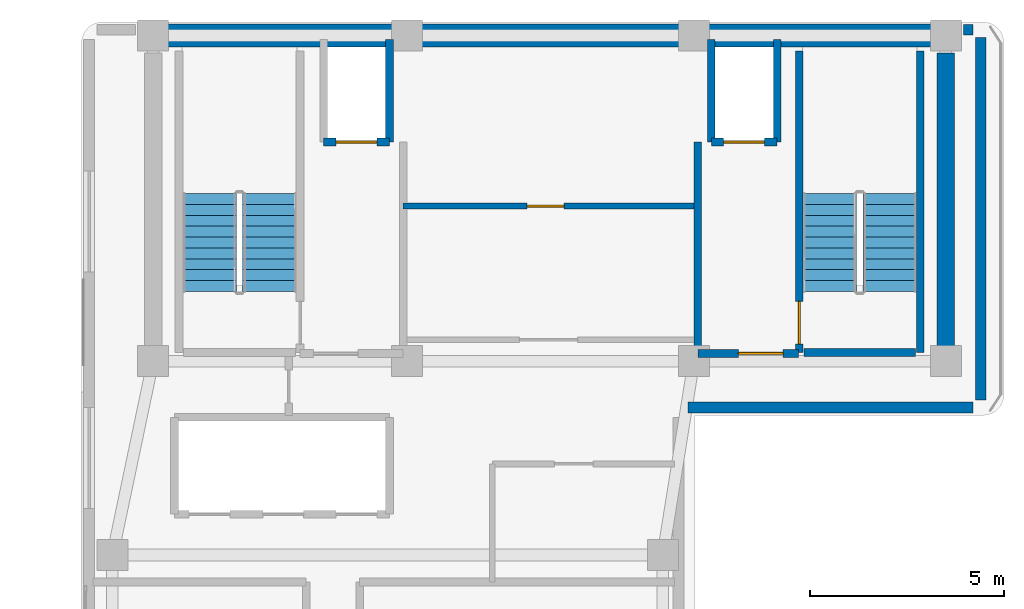
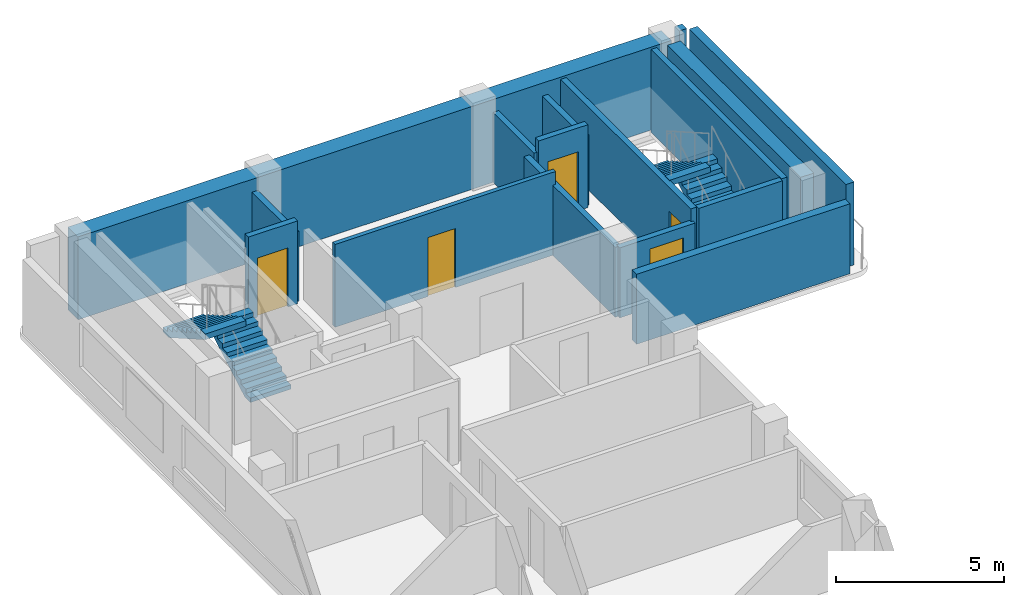
# One storey, part 9 of 11: 16 walls, 5 doors, 4 stair flights, 5 openings, 2 elements without a shape of their own.
"""IFC4 building model written with IfcOpenShell, lengths in metres."""

import ifcopenshell
import ifcopenshell.guid

model = None  # the IFC model being written
_history = None  # IfcOwnerHistory: only IFC2X3 demands one
_inside = {}  # id of a spatial element -> (the spatial element, [elements in it])
_under = {}  # id of a project, library or spatial element -> (it, [spatial elements below it])
_declared = {}  # id of a project -> (the project, [libraries it declares])
_typed = {}  # id of a type object -> (the type object, [elements of that type])
_made_of = {}  # id of a material, layer set ... -> (it, [elements and type objects made of it])


def new_model(schema):
    """Start an empty IFC model of exactly this schema.

    Asked for "IFC4X3", IfcOpenShell would pick the latest addendum, in which some entities
    have other attributes; the version numbers below select the first issue.
    IFC2X3 requires an IfcOwnerHistory on every rooted entity: one is made here for all.
    """
    global model, _history
    if schema == "IFC4X3":
        model = ifcopenshell.file(schema_version=(4, 3, 0, 0))
    else:
        model = ifcopenshell.file(schema=schema)
    _inside.clear()
    _under.clear()
    _declared.clear()
    _typed.clear()
    _made_of.clear()
    _history = None
    if model.schema == "IFC2X3":
        org = make("IfcOrganization", Name="unknown")
        user = make(
            "IfcPersonAndOrganization",
            ThePerson=make("IfcPerson", FamilyName="unknown"),
            TheOrganization=org,
        )
        app = make(
            "IfcApplication",
            ApplicationDeveloper=org,
            Version="unknown",
            ApplicationFullName="unknown",
            ApplicationIdentifier="unknown",
        )
        _history = make(
            "IfcOwnerHistory",
            OwningUser=user,
            OwningApplication=app,
            ChangeAction="ADDED",
            CreationDate=0,
        )
    return model


def make(cls, **values):
    """One entity of the class cls with the attributes given. An attribute that is None is left unset."""
    return model.create_entity(
        cls, **{name: value for name, value in values.items() if value is not None}
    )


def rooted(cls, **values):
    """An entity with a GlobalId (a new one), such as an element, a storey or a relation."""
    return make(cls, GlobalId=ifcopenshell.guid.new(), OwnerHistory=_history, **values)


def si_unit(unit_type, name, prefix=None):
    """IfcSIUnit, for example si_unit("LENGTHUNIT", "METRE", prefix="MILLI")."""
    return make("IfcSIUnit", UnitType=unit_type, Prefix=prefix, Name=name)


def assignment(units):
    """IfcUnitAssignment: the units of a project."""
    return None if units is None else make("IfcUnitAssignment", Units=units)


def point(xyz):
    """IfcCartesianPoint."""
    return None if xyz is None else make("IfcCartesianPoint", Coordinates=xyz)


def direction(xyz):
    """IfcDirection."""
    return None if xyz is None else make("IfcDirection", DirectionRatios=xyz)


def frame(location, z_axis=None, x_axis=None):
    """IfcAxis2Placement3D, a coordinate frame: its origin and axes. An axis left out is left unset."""
    return make(
        "IfcAxis2Placement3D",
        Location=point(location),
        Axis=direction(z_axis),
        RefDirection=direction(x_axis),
    )


def frame_2d(location, x_axis=None):
    """IfcAxis2Placement2D, a coordinate frame in the plane: its origin and x axis."""
    return make(
        "IfcAxis2Placement2D", Location=point(location), RefDirection=direction(x_axis)
    )


def origin():
    """The frame at (0, 0, 0) with its axes left unset."""
    return frame((0.0, 0.0, 0.0))


def place(relative_to, where):
    """IfcLocalPlacement: puts the frame where relative to a parent placement (None: the world)."""
    return make(
        "IfcLocalPlacement", PlacementRelTo=relative_to, RelativePlacement=where
    )


def context(
    kind, dimensions, precision=None, world=None, true_north=None, identifier=None
):
    """IfcGeometricRepresentationContext, for example the 3D "Model" context."""
    return make(
        "IfcGeometricRepresentationContext",
        ContextIdentifier=identifier,
        ContextType=kind,
        CoordinateSpaceDimension=dimensions,
        Precision=precision,
        WorldCoordinateSystem=world,
        TrueNorth=true_north,
    )


def subcontext(parent, identifier, kind, view, scale=None):
    """IfcGeometricRepresentationSubContext, for example "Body" below "Model"."""
    return make(
        "IfcGeometricRepresentationSubContext",
        ContextIdentifier=identifier,
        ContextType=kind,
        ParentContext=parent,
        TargetScale=scale,
        TargetView=view,
    )


def project(units=None, contexts=None):
    """IfcProject with its units and contexts."""
    return rooted(
        "IfcProject",
        Name="project",
        RepresentationContexts=contexts,
        UnitsInContext=assignment(units),
    )


def spatial(cls, under=None, at=None, **own):
    """A site, building, storey or space (cls), placed at a placement, below another one or the project."""
    s = rooted(cls, ObjectPlacement=at, **own)
    if under is not None:
        _under.setdefault(under.id(), (under, []))[1].append(s)
    return s


def polyline(points):
    """IfcPolyline through the points."""
    return make("IfcPolyline", Points=[point(p) for p in points])


def profile(cls, at=None, kind="AREA", **sizes):
    """A parametric profile (cls). Its sizes go by their IFC names, for example OverallWidth=200.0."""
    return make(cls, ProfileType=kind, Position=at, **sizes)


def rectangle(**sizes):
    """IfcRectangleProfileDef."""
    return profile("IfcRectangleProfileDef", **sizes)


def outline(outer, holes=None, kind="AREA"):
    """IfcArbitraryClosedProfileDef: a profile drawn as a closed curve; with holes, ...WithVoids."""
    if holes is None:
        return make("IfcArbitraryClosedProfileDef", ProfileType=kind, OuterCurve=outer)
    return make(
        "IfcArbitraryProfileDefWithVoids",
        ProfileType=kind,
        OuterCurve=outer,
        InnerCurves=holes,
    )


def extrude(swept, where, along, depth):
    """IfcExtrudedAreaSolid: the profile swept, set in the frame where, extruded along a direction by depth."""
    return make(
        "IfcExtrudedAreaSolid",
        SweptArea=swept,
        Position=where,
        ExtrudedDirection=direction(along),
        Depth=depth,
    )


def shape(context_of_items, identifier, shape_type, items):
    """IfcShapeRepresentation: the items that make up one representation, for example the "Body"."""
    return make(
        "IfcShapeRepresentation",
        ContextOfItems=context_of_items,
        RepresentationIdentifier=identifier,
        RepresentationType=shape_type,
        Items=items,
    )


def material(Name=None, Category=None):
    """IfcMaterial."""
    return make("IfcMaterial", Name=Name, Category=Category)


def layer(
    of_material, thickness, ventilated=None, Name=None, Category=None, Priority=None
):
    """IfcMaterialLayer: one layer of a wall or slab, of a material (None: an air gap)."""
    return make(
        "IfcMaterialLayer",
        Material=of_material,
        LayerThickness=thickness,
        IsVentilated=ventilated,
        Name=Name,
        Category=Category,
        Priority=Priority,
    )


def layer_set(layers, Name=None):
    """IfcMaterialLayerSet."""
    return make("IfcMaterialLayerSet", MaterialLayers=layers, LayerSetName=Name)


def made_of(thing, what):
    """Note that an element or type object is made of a material, layer set ...; save() writes the relation."""
    if what is not None:
        _made_of.setdefault(what.id(), (what, []))[1].append(thing)
    return thing


def type_object(cls, material=None, **own):
    """A type object (cls), such as IfcWallType, which elements share."""
    return made_of(rooted(cls, **own), material)


def element(
    cls,
    number,
    at=None,
    inside=None,
    cuts=None,
    type_object=None,
    material=None,
    context=None,
    identifier="Body",
    shape_type=None,
    held_by="IfcProductDefinitionShape",
    body=None,
    shapes=None,
    **own,
):
    """One element of the class cls, such as IfcWall. Its Tag is "e" and its number.

    at: its placement. inside: the storey or other place that contains it. cuts: it is an
    opening in that element (IfcRelVoidsElement). A single representation is given by context,
    identifier, shape_type and body (its items); several are given by shapes. held_by: the class
    of the entity that holds the representations. save() writes the other relations.
    """
    e = rooted(cls, Tag="e%d" % number, ObjectPlacement=at, **own)
    if body is not None:
        shapes = [shape(context, identifier, shape_type, body)]
    if shapes is not None:
        e.Representation = make(held_by, Representations=shapes)
    if inside is not None:
        _inside.setdefault(inside.id(), (inside, []))[1].append(e)
    if cuts is not None:
        rooted(
            "IfcRelVoidsElement", RelatingBuildingElement=cuts, RelatedOpeningElement=e
        )
    if type_object is not None:
        _typed.setdefault(type_object.id(), (type_object, []))[1].append(e)
    return made_of(e, material)


def fill(opening, filler):
    """IfcRelFillsElement: the door or window that sits in an opening."""
    return rooted(
        "IfcRelFillsElement",
        RelatingOpeningElement=opening,
        RelatedBuildingElement=filler,
    )


def aggregate(whole, parts):
    """IfcRelAggregates: a whole, such as a stair, and the parts it consists of."""
    return rooted("IfcRelAggregates", RelatingObject=whole, RelatedObjects=parts)


def save(model, path):
    """Write the relations noted so far, then the file.

    IfcRelAggregates (storeys below a building ...), IfcRelContainedInSpatialStructure (elements
    in a storey), IfcRelDefinesByType, IfcRelAssociatesMaterial and IfcRelDeclares: one each for
    every whole, place, type object, material and project.
    """
    for whole, parts in _under.values():
        aggregate(whole, parts)
    for where, things in _inside.values():
        rooted(
            "IfcRelContainedInSpatialStructure",
            RelatedElements=things,
            RelatingStructure=where,
        )
    for kind, things in _typed.values():
        rooted("IfcRelDefinesByType", RelatedObjects=things, RelatingType=kind)
    for what, things in _made_of.values():
        rooted("IfcRelAssociatesMaterial", RelatedObjects=things, RelatingMaterial=what)
    for by, libraries in _declared.values():
        rooted("IfcRelDeclares", RelatingContext=by, RelatedDefinitions=libraries)
    model.write(path)


model = new_model("IFC4")

# Units and contexts
model_context = context("Model", 3, precision=1e-05, world=origin(), true_north=direction((0.0, 1.0)))
body_context = subcontext(model_context, "Body", "Model", "MODEL_VIEW")
ifc_project = project(units=[si_unit("LENGTHUNIT", "METRE"), si_unit("AREAUNIT", "SQUARE_METRE"), si_unit("VOLUMEUNIT", "CUBIC_METRE"), si_unit("PLANEANGLEUNIT", "RADIAN"), si_unit("MASSUNIT", "GRAM", prefix="KILO")], contexts=[model_context])

# Site, building, storey
site_placement = place(None, origin())
site = spatial("IfcSite", under=ifc_project, at=site_placement, CompositionType="ELEMENT")
building_placement = place(site_placement, origin())
building = spatial("IfcBuilding", under=site, at=building_placement, Name="Kuzgunbayir Cultural Tower", CompositionType="ELEMENT")
storey_placement = place(building_placement, frame((0.0, 0.0, 234.39990234375)))
storey = spatial("IfcBuildingStorey", under=building, at=storey_placement, Name="L69", CompositionType="ELEMENT", Elevation=234.39990234375)

# Walls
ifc_material_1 = material(Name="Concrete C50/60", Category="concrete")
ifc_layer_1 = layer(ifc_material_1, 0.449951171875)
ifc_layer_set_1 = layer_set([ifc_layer_1], Name="Concrete C50/60")
wall_type_1 = type_object("IfcWallType", Name="WAL-CORE-450", PredefinedType="SHEAR", material=ifc_layer_set_1)
wall_1_placement = place(storey_placement, frame((26.89990234375, 33.800048828125, 0.0), z_axis=(0.0, 0.0, 1.0), x_axis=(0.0, 1.0, 0.0)))
element("IfcWall", 1, at=wall_1_placement, inside=storey, type_object=wall_type_1, Name="L69 T1 Core East Shear Wall", PredefinedType="SHEAR", context=body_context, shape_type="SweptSolid", body=[
    extrude(rectangle(XDim=7.949951171875, YDim=0.449951171875, at=frame_2d((3.97509765625, 0.0))), origin(), (0.0, 0.0, 1.0), 3.02001953125),
])
ifc_material_2 = material(Name="Concrete C60/75", Category="concrete")
ifc_layer_2 = layer(ifc_material_2, 0.60009765625)
ifc_layer_set_2 = layer_set([ifc_layer_2], Name="Concrete C60/75")
wall_type_2 = type_object("IfcWallType", Name="WAL-CORE-600", PredefinedType="SHEAR", material=ifc_layer_set_2)
wall_2_placement = place(storey_placement, frame((6.449951171875, 42.199951171875, 0.0), z_axis=(0.0, 0.0, 1.0), x_axis=(1.0, 0.0, 0.0)))
element("IfcWall", 2, at=wall_2_placement, inside=storey, type_object=wall_type_2, Name="L69 T1 Core North Shear Wall", PredefinedType="SHEAR", context=body_context, shape_type="SweptSolid", body=[
    extrude(rectangle(XDim=20.449951171875, YDim=0.60009765625, at=frame_2d((10.22509765625, 0.0))), origin(), (0.0, 0.0, 1.0), 3.02001953125),
])
ifc_material_3 = material(Name="Anatolian Cream Limestone", Category="masonry")
ifc_layer_3 = layer(ifc_material_3, 0.280029296875)
ifc_layer_set_3 = layer_set([ifc_layer_3], Name="Anatolian Cream Limestone")
wall_type_3 = type_object("IfcWallType", Name="WAL-EXT-STONE-280", PredefinedType="STANDARD", material=ifc_layer_set_3)
wall_3_placement = place(storey_placement, frame((27.60009765625, 42.35009765625, 0.0), z_axis=(0.0, 0.0, 1.0), x_axis=(-1.0, 0.0, 0.0)))
element("IfcWall", 3, at=wall_3_placement, inside=storey, type_object=wall_type_3, Name="L69 North Wing B Limestone Wall", PredefinedType="STANDARD", context=body_context, shape_type="SweptSolid", body=[
    extrude(rectangle(XDim=0.25, YDim=0.280029296875, at=frame_2d((0.125, 0.0))), origin(), (0.0, 0.0, 1.0), 3.02001953125),
])
wall_4_placement = place(storey_placement, frame((27.800048828125, 32.800048828125, 0.0), z_axis=(0.0, 0.0, 1.0), x_axis=(0.0, 1.0, 0.0)))
element("IfcWall", 4, at=wall_4_placement, inside=storey, type_object=wall_type_3, Name="L69 Rear Core East Limestone Wall", PredefinedType="STANDARD", context=body_context, shape_type="SweptSolid", body=[
    extrude(rectangle(XDim=9.349853515625, YDim=0.280029296875, at=frame_2d((4.6748046875, 0.0))), origin(), (0.0, 0.0, 1.0), 3.02001953125),
])
wall_5_placement = place(storey_placement, frame((20.25, 32.60009765625, 0.0), z_axis=(0.0, 0.0, 1.0), x_axis=(1.0, 0.0, 0.0)))
element("IfcWall", 5, at=wall_5_placement, inside=storey, type_object=wall_type_3, Name="L69 Core South Soffit Wall", PredefinedType="STANDARD", context=body_context, shape_type="SweptSolid", body=[
    extrude(rectangle(XDim=7.35009765625, YDim=0.280029296875, at=frame_2d((3.675048828125, 0.0))), origin(), (0.0, 0.0, 1.0), 2.550048828125),
])

# Wall, opening, door
ifc_material_4 = material(Name="Acoustic Double-Stud Drywall", Category="gypsum")
ifc_layer_4 = layer(ifc_material_4, 0.14990234375)
ifc_layer_set_4 = layer_set([ifc_layer_4], Name="Acoustic Double-Stud Drywall")
wall_type_4 = type_object("IfcWallType", Name="WAL-PART-ACOUSTIC-150", PredefinedType="PARTITIONING", material=ifc_layer_set_4)
wall_6_placement = place(storey_placement, frame((12.89990234375, 37.800048828125, 0.0), z_axis=(0.0, 0.0, 1.0), x_axis=(1.0, 0.0, 0.0)))
wall_6 = element("IfcWall", 6, at=wall_6_placement, inside=storey, type_object=wall_type_4, Name="L69 Sky Core Mid Wall", PredefinedType="PARTITIONING", context=body_context, shape_type="SweptSolid", body=[
    extrude(rectangle(XDim=7.60009765625, YDim=0.14990234375, at=frame_2d((3.800048828125, 0.0))), origin(), (0.0, 0.0, 1.0), 3.02001953125),
])
opening_1_placement = place(wall_6_placement, frame((3.199951171875, 0.0, 0.0)))
opening_1 = element("IfcOpeningElement", 7, at=opening_1_placement, cuts=wall_6, Name="Opening DC-95", PredefinedType="OPENING", context=body_context, shape_type="SweptSolid", body=[
    extrude(rectangle(XDim=0.949951171875, YDim=2.14990234375, at=frame_2d((0.47509765625, 1.074951171875))), frame((0.0, 0.0849609375, 0.0), z_axis=(0.0, -1.0, 0.0), x_axis=(1.0, 0.0, 0.0)), (0.0, 0.0, 1.0), 0.169921875),
])
ifc_material_5 = material(Name="Fire-Rated Veneered Oak Leaf", Category="wood")
door_type_1 = type_object("IfcDoorType", Name="DR-CORE-95", OperationType="NOTDEFINED", PredefinedType="DOOR", material=ifc_material_5)
door_1_placement = place(opening_1_placement, origin())
door_1 = element("IfcDoor", 8, at=door_1_placement, inside=storey, type_object=door_type_1, Name="L69 Core Archive Door", OperationType="SINGLE_SWING_RIGHT", OverallHeight=2.14990234375, OverallWidth=0.949951171875, PredefinedType="DOOR", context=body_context, shape_type="SweptSolid", body=[
    extrude(rectangle(XDim=0.949951171875, YDim=2.14990234375, at=frame_2d((0.47509765625, 1.074951171875))), frame((0.0, 0.02490234375, 0.0), z_axis=(0.0, -1.0, 0.0), x_axis=(1.0, 0.0, 0.0)), (0.0, 0.0, 1.0), 0.050048828125),
])
fill(opening_1, door_1)

# Wall
ifc_material_6 = material(Name="Aerated Concrete Blockwork", Category="masonry")
ifc_layer_5 = layer(ifc_material_6, 0.199951171875)
ifc_layer_set_5 = layer_set([ifc_layer_5], Name="Aerated Concrete Blockwork")
wall_type_5 = type_object("IfcWallType", Name="WAL-PART-FIRE-200", PredefinedType="PARTITIONING", material=ifc_layer_set_5)
wall_7_placement = place(storey_placement, frame((20.5, 34.0, 0.0), z_axis=(0.0, 0.0, 1.0), x_axis=(0.0, 1.0, 0.0)))
element("IfcWall", 9, at=wall_7_placement, inside=storey, type_object=wall_type_5, Name="L69 FFL-2 Lobby West Fire Wall", PredefinedType="PARTITIONING", context=body_context, shape_type="SweptSolid", body=[
    extrude(rectangle(XDim=5.449951171875, YDim=0.199951171875, at=frame_2d((2.72509765625, 0.0))), origin(), (0.0, 0.0, 1.0), 2.550048828125),
])

# Wall, opening, door
wall_8_placement = place(storey_placement, frame((20.5, 34.0, 0.0), z_axis=(0.0, 0.0, 1.0), x_axis=(1.0, 0.0, 0.0)))
wall_8 = element("IfcWall", 10, at=wall_8_placement, inside=storey, type_object=wall_type_5, Name="L69 FFL-2 Lobby South Fire Wall", PredefinedType="PARTITIONING", context=body_context, shape_type="SweptSolid", body=[
    extrude(rectangle(XDim=2.60009765625, YDim=0.199951171875, at=frame_2d((1.300048828125, 0.0))), origin(), (0.0, 0.0, 1.0), 2.550048828125),
])
opening_2_placement = place(wall_8_placement, frame((1.050048828125, 0.0, 0.0)))
opening_2 = element("IfcOpeningElement", 11, at=opening_2_placement, cuts=wall_8, Name="Opening DR-FFL-90", PredefinedType="OPENING", context=body_context, shape_type="SweptSolid", body=[
    extrude(rectangle(XDim=1.14990234375, YDim=2.14990234375, at=frame_2d((0.574951171875, 1.074951171875))), frame((0.0, 0.10986328125, 0.0), z_axis=(0.0, -1.0, 0.0), x_axis=(1.0, 0.0, 0.0)), (0.0, 0.0, 1.0), 0.219970703125),
])
ifc_material_7 = material(Name="Steel S355J2", Category="steel")
door_type_2 = type_object("IfcDoorType", Name="DR-FFL-90", OperationType="NOTDEFINED", PredefinedType="DOOR", material=ifc_material_7)
door_2_placement = place(opening_2_placement, origin())
door_2 = element("IfcDoor", 12, at=door_2_placement, inside=storey, type_object=door_type_2, Name="L69 Firefighting Lobby 2 Door", OperationType="SINGLE_SWING_RIGHT", OverallHeight=2.14990234375, OverallWidth=1.14990234375, PredefinedType="DOOR", context=body_context, shape_type="SweptSolid", body=[
    extrude(rectangle(XDim=1.14990234375, YDim=2.14990234375, at=frame_2d((0.574951171875, 1.074951171875))), frame((0.0, 0.02490234375, 0.0), z_axis=(0.0, -1.0, 0.0), x_axis=(1.0, 0.0, 0.0)), (0.0, 0.0, 1.0), 0.050048828125),
])
fill(opening_2, door_2)

ifc_material_8 = material(Name="Concrete C40/50", Category="concrete")
ifc_layer_6 = layer(ifc_material_8, 0.199951171875)
ifc_layer_set_6 = layer_set([ifc_layer_6], Name="Concrete C40/50")
wall_type_6 = type_object("IfcWallType", Name="WAL-SHAFT-200", PredefinedType="MOVABLE", material=ifc_layer_set_6)
wall_9_placement = place(storey_placement, frame((10.85009765625, 39.449951171875, 0.0), z_axis=(0.0, 0.0, 1.0), x_axis=(1.0, 0.0, 0.0)))
wall_9 = element("IfcWall", 13, at=wall_9_placement, inside=storey, type_object=wall_type_6, Name="L69 FFL-1 Lift Front Wall", PredefinedType="MOVABLE", context=body_context, shape_type="SweptSolid", body=[
    extrude(rectangle(XDim=1.699951171875, YDim=0.199951171875, at=frame_2d((0.85009765625, 0.0))), origin(), (0.0, 0.0, 1.0), 3.02001953125),
])
opening_3_placement = place(wall_9_placement, frame((0.320068359375, 0.0, 0.0)))
opening_3 = element("IfcOpeningElement", 14, at=opening_3_placement, cuts=wall_9, Name="Opening LD", PredefinedType="OPENING", context=body_context, shape_type="SweptSolid", body=[
    extrude(rectangle(XDim=1.050048828125, YDim=2.14990234375, at=frame_2d((0.52490234375, 1.074951171875))), frame((0.0, 0.10986328125, 0.0), z_axis=(0.0, -1.0, 0.0), x_axis=(1.0, 0.0, 0.0)), (0.0, 0.0, 1.0), 0.219970703125),
])
ifc_material_9 = material(Name="Brushed Stainless Steel", Category="steel")
door_type_3 = type_object("IfcDoorType", Name="DR-LIFT-LANDING", OperationType="SLIDING_TO_LEFT", PredefinedType="DOOR", material=ifc_material_9)
door_3_placement = place(opening_3_placement, origin())
door_3 = element("IfcDoor", 15, at=door_3_placement, inside=storey, type_object=door_type_3, Name="L69 Lift FFL-1 Landing Door", OperationType="SLIDING_TO_LEFT", OverallHeight=2.14990234375, OverallWidth=1.050048828125, PredefinedType="DOOR", context=body_context, shape_type="SweptSolid", body=[
    extrude(rectangle(XDim=1.050048828125, YDim=2.14990234375, at=frame_2d((0.52490234375, 1.074951171875))), frame((0.0, 0.02490234375, 0.0), z_axis=(0.0, -1.0, 0.0), x_axis=(1.0, 0.0, 0.0)), (0.0, 0.0, 1.0), 0.050048828125),
])
fill(opening_3, door_3)

wall_10_placement = place(storey_placement, frame((20.85009765625, 39.449951171875, 0.0), z_axis=(0.0, 0.0, 1.0), x_axis=(1.0, 0.0, 0.0)))
wall_10 = element("IfcWall", 16, at=wall_10_placement, inside=storey, type_object=wall_type_6, Name="L69 FFL-2 Lift Front Wall", PredefinedType="MOVABLE", context=body_context, shape_type="SweptSolid", body=[
    extrude(rectangle(XDim=1.699951171875, YDim=0.199951171875, at=frame_2d((0.85009765625, 0.0))), origin(), (0.0, 0.0, 1.0), 3.02001953125),
])
opening_4_placement = place(wall_10_placement, frame((0.320068359375, 0.0, 0.0)))
opening_4 = element("IfcOpeningElement", 17, at=opening_4_placement, cuts=wall_10, Name="Opening LD", PredefinedType="OPENING", context=body_context, shape_type="SweptSolid", body=[
    extrude(rectangle(XDim=1.050048828125, YDim=2.14990234375, at=frame_2d((0.52490234375, 1.074951171875))), frame((0.0, 0.10986328125, 0.0), z_axis=(0.0, -1.0, 0.0), x_axis=(1.0, 0.0, 0.0)), (0.0, 0.0, 1.0), 0.219970703125),
])
door_4_placement = place(opening_4_placement, origin())
door_4 = element("IfcDoor", 18, at=door_4_placement, inside=storey, type_object=door_type_3, Name="L69 Lift FFL-2 Landing Door", OperationType="SLIDING_TO_LEFT", OverallHeight=2.14990234375, OverallWidth=1.050048828125, PredefinedType="DOOR", context=body_context, shape_type="SweptSolid", body=[
    extrude(rectangle(XDim=1.050048828125, YDim=2.14990234375, at=frame_2d((0.52490234375, 1.074951171875))), frame((0.0, 0.02490234375, 0.0), z_axis=(0.0, -1.0, 0.0), x_axis=(1.0, 0.0, 0.0)), (0.0, 0.0, 1.0), 0.050048828125),
])
fill(opening_4, door_4)

# Walls
for number, where, z_axis, x_axis, name in (
    (19, (12.550048828125, 39.449951171875, 0.0), (0.0, 0.0, 1.0), (0.0, 1.0, 0.0), "L69 FFL-1 Shaft East Wall"),
    (20, (20.85009765625, 39.449951171875, 0.0), (0.0, 0.0, 1.0), (0.0, 1.0, 0.0), "L69 FFL-2 Shaft West Wall"),
    (21, (22.550048828125, 39.449951171875, 0.0), (0.0, 0.0, 1.0), (0.0, 1.0, 0.0), "L69 FFL-2 Shaft East Wall"),
):
    element("IfcWall", number, at=place(storey_placement, frame(where, z_axis=z_axis, x_axis=x_axis)), inside=storey, type_object=wall_type_6, Name=name, PredefinedType="MOVABLE", context=body_context, shape_type="SweptSolid", body=[
        extrude(rectangle(XDim=2.650146484375, YDim=0.199951171875, at=frame_2d((1.3251953125, 0.0))), origin(), (0.0, 0.0, 1.0), 2.550048828125),
    ])

# Wall, opening, door
ifc_layer_7 = layer(ifc_material_8, 0.199951171875)
ifc_layer_set_7 = layer_set([ifc_layer_7], Name="Concrete C40/50")
wall_type_7 = type_object("IfcWallType", Name="WAL-STAIR-RC-200", PredefinedType="SHEAR", material=ifc_layer_set_7)
wall_11_placement = place(storey_placement, frame((23.1201171875, 34.02001953125, 0.0), z_axis=(0.0, 0.0, 1.0), x_axis=(0.0, 1.0, 0.0)))
wall_11 = element("IfcWall", 22, at=wall_11_placement, inside=storey, type_object=wall_type_7, Name="L69 Stair ST-2 West Structural Wall", PredefinedType="SHEAR", context=body_context, shape_type="SweptSolid", body=[
    extrude(rectangle(XDim=7.780029296875, YDim=0.199951171875, at=frame_2d((3.89013671875, 0.0))), origin(), (0.0, 0.0, 1.0), 3.02001953125),
])
opening_5_placement = place(wall_11_placement, frame((0.219970703125, 0.0, 0.0)))
opening_5 = element("IfcOpeningElement", 23, at=opening_5_placement, cuts=wall_11, Name="Opening DR-STAIR-90", PredefinedType="OPENING", context=body_context, shape_type="SweptSolid", body=[
    extrude(rectangle(XDim=1.10009765625, YDim=2.14990234375, at=frame_2d((0.550048828125, 1.074951171875))), frame((0.0, 0.10986328125, 0.0), z_axis=(0.0, -1.0, 0.0), x_axis=(1.0, 0.0, 0.0)), (0.0, 0.0, 1.0), 0.219970703125),
])
door_type_4 = type_object("IfcDoorType", Name="DR-STAIR-90", OperationType="NOTDEFINED", PredefinedType="DOOR", material=ifc_material_7)
door_5_placement = place(opening_5_placement, origin())
door_5 = element("IfcDoor", 24, at=door_5_placement, inside=storey, type_object=door_type_4, Name="L69 Stair ST-2 Fire Door", OperationType="SINGLE_SWING_LEFT", OverallHeight=2.14990234375, OverallWidth=1.10009765625, PredefinedType="DOOR", context=body_context, shape_type="SweptSolid", body=[
    extrude(rectangle(XDim=1.10009765625, YDim=2.14990234375, at=frame_2d((0.550048828125, 1.074951171875))), frame((0.0, 0.02490234375, 0.0), z_axis=(0.0, -1.0, 0.0), x_axis=(1.0, 0.0, 0.0)), (0.0, 0.0, 1.0), 0.050048828125),
])
fill(opening_5, door_5)

# Walls
wall_12_placement = place(storey_placement, frame((26.239990234375, 34.02001953125, 0.0), z_axis=(0.0, 0.0, 1.0), x_axis=(0.0, 1.0, 0.0)))
element("IfcWall", 25, at=wall_12_placement, inside=storey, type_object=wall_type_7, Name="L69 Stair ST-2 East Structural Wall", PredefinedType="SHEAR", context=body_context, shape_type="SweptSolid", body=[
    extrude(rectangle(XDim=7.780029296875, YDim=0.199951171875, at=frame_2d((3.89013671875, 0.0))), origin(), (0.0, 0.0, 1.0), 3.02001953125),
])
wall_13_placement = place(storey_placement, frame((23.239990234375, 34.02001953125, 0.0), z_axis=(0.0, 0.0, 1.0), x_axis=(1.0, 0.0, 0.0)))
element("IfcWall", 26, at=wall_13_placement, inside=storey, type_object=wall_type_7, Name="L69 Stair ST-2 South Structural Wall", PredefinedType="SHEAR", context=body_context, shape_type="SweptSolid", body=[
    extrude(rectangle(XDim=2.880126953125, YDim=0.199951171875, at=frame_2d((1.43994140625, 0.0))), origin(), (0.0, 0.0, 1.0), 3.02001953125),
])

# Stair, stair flights
stair_type = type_object("IfcStairType", Name="STR-EXIT-CORE", PredefinedType="HALF_TURN_STAIR", material=ifc_material_8)
stair_1_placement = place(storey_placement, origin())
stair_1 = element("IfcStair", 27, at=stair_1_placement, inside=storey, type_object=stair_type, Name="L69 ST-1", PredefinedType="HALF_TURN_STAIR")
stair_flight_type = type_object("IfcStairFlightType", Name="STRF-RC-140", PredefinedType="STRAIGHT", material=ifc_material_8)
stair_flight_1_placement = place(storey_placement, frame((9.4599609375, 35.60009765625, 0.0), z_axis=(0.0, 0.0, 1.0), x_axis=(0.0, 1.0, 0.0)))
stair_flight_1 = element("IfcStairFlight", 28, at=stair_flight_1_placement, type_object=stair_flight_type, Name="ST-1 flight 1", NumberOfRisers=10, NumberOfTreads=9, PredefinedType="STRAIGHT", RiserHeight=0.16, TreadLength=0.28, context=body_context, shape_type="SweptSolid", body=[
    extrude(outline(polyline([(0.0, 0.0), (0.0, 0.159912109375), (0.280029296875, 0.159912109375), (0.280029296875, 0.320068359375), (0.56005859375, 0.320068359375), (0.56005859375, 0.47998046875), (0.840087890625, 0.47998046875), (0.840087890625, 0.639892578125), (1.1201171875, 0.639892578125), (1.1201171875, 0.800048828125), (1.39990234375, 0.800048828125), (1.39990234375, 0.9599609375), (1.679931640625, 0.9599609375), (1.679931640625, 1.1201171875), (1.9599609375, 1.1201171875), (1.9599609375, 1.280029296875), (2.239990234375, 1.280029296875), (2.239990234375, 1.43994140625), (2.52001953125, 1.43994140625), (2.52001953125, 1.60009765625), (2.52001953125, 1.232666015625), (0.362548828125, 0.0), (0.0, 0.0)])), frame((0.0, 0.699951171875, 0.0), z_axis=(0.0, -1.0, 0.0), x_axis=(1.0, 0.0, 0.0)), (0.0, 0.0, 1.0), 1.39990234375),
])
stair_flight_2_placement = place(storey_placement, frame((7.89990234375, 38.1201171875, 1.60009765625), z_axis=(0.0, 0.0, 1.0), x_axis=(0.0, -1.0, 0.0)))
stair_flight_2 = element("IfcStairFlight", 29, at=stair_flight_2_placement, type_object=stair_flight_type, Name="ST-1 flight 2", NumberOfRisers=10, NumberOfTreads=9, PredefinedType="STRAIGHT", RiserHeight=0.16, TreadLength=0.28, context=body_context, shape_type="SweptSolid", body=[
    extrude(outline(polyline([(0.0, 0.0), (0.0, 0.159912109375), (0.280029296875, 0.159912109375), (0.280029296875, 0.320068359375), (0.56005859375, 0.320068359375), (0.56005859375, 0.47998046875), (0.840087890625, 0.47998046875), (0.840087890625, 0.639892578125), (1.1201171875, 0.639892578125), (1.1201171875, 0.800048828125), (1.39990234375, 0.800048828125), (1.39990234375, 0.9599609375), (1.679931640625, 0.9599609375), (1.679931640625, 1.1201171875), (1.9599609375, 1.1201171875), (1.9599609375, 1.280029296875), (2.239990234375, 1.280029296875), (2.239990234375, 1.43994140625), (2.52001953125, 1.43994140625), (2.52001953125, 1.60009765625), (2.52001953125, 1.232666015625), (0.362548828125, 0.0), (0.0, 0.0)])), frame((0.0, 0.699951171875, 0.0), z_axis=(0.0, -1.0, 0.0), x_axis=(1.0, 0.0, 0.0)), (0.0, 0.0, 1.0), 1.39990234375),
])
aggregate(stair_1, [stair_flight_1, stair_flight_2])

stair_2_placement = place(storey_placement, origin())
stair_2 = element("IfcStair", 30, at=stair_2_placement, inside=storey, type_object=stair_type, Name="L69 ST-2", PredefinedType="HALF_TURN_STAIR")
stair_flight_3_placement = place(storey_placement, frame((25.4599609375, 35.60009765625, 0.0), z_axis=(0.0, 0.0, 1.0), x_axis=(0.0, 1.0, 0.0)))
stair_flight_3 = element("IfcStairFlight", 31, at=stair_flight_3_placement, type_object=stair_flight_type, Name="ST-2 flight 1", NumberOfRisers=10, NumberOfTreads=9, PredefinedType="STRAIGHT", RiserHeight=0.16, TreadLength=0.28, context=body_context, shape_type="SweptSolid", body=[
    extrude(outline(polyline([(0.0, 0.0), (0.0, 0.159912109375), (0.280029296875, 0.159912109375), (0.280029296875, 0.320068359375), (0.56005859375, 0.320068359375), (0.56005859375, 0.47998046875), (0.840087890625, 0.47998046875), (0.840087890625, 0.639892578125), (1.1201171875, 0.639892578125), (1.1201171875, 0.800048828125), (1.39990234375, 0.800048828125), (1.39990234375, 0.9599609375), (1.679931640625, 0.9599609375), (1.679931640625, 1.1201171875), (1.9599609375, 1.1201171875), (1.9599609375, 1.280029296875), (2.239990234375, 1.280029296875), (2.239990234375, 1.43994140625), (2.52001953125, 1.43994140625), (2.52001953125, 1.60009765625), (2.52001953125, 1.232666015625), (0.362548828125, 0.0), (0.0, 0.0)])), frame((0.0, 0.699951171875, 0.0), z_axis=(0.0, -1.0, 0.0), x_axis=(1.0, 0.0, 0.0)), (0.0, 0.0, 1.0), 1.39990234375),
])
stair_flight_4_placement = place(storey_placement, frame((23.89990234375, 38.1201171875, 1.60009765625), z_axis=(0.0, 0.0, 1.0), x_axis=(0.0, -1.0, 0.0)))
stair_flight_4 = element("IfcStairFlight", 32, at=stair_flight_4_placement, type_object=stair_flight_type, Name="ST-2 flight 2", NumberOfRisers=10, NumberOfTreads=9, PredefinedType="STRAIGHT", RiserHeight=0.16, TreadLength=0.28, context=body_context, shape_type="SweptSolid", body=[
    extrude(outline(polyline([(0.0, 0.0), (0.0, 0.159912109375), (0.280029296875, 0.159912109375), (0.280029296875, 0.320068359375), (0.56005859375, 0.320068359375), (0.56005859375, 0.47998046875), (0.840087890625, 0.47998046875), (0.840087890625, 0.639892578125), (1.1201171875, 0.639892578125), (1.1201171875, 0.800048828125), (1.39990234375, 0.800048828125), (1.39990234375, 0.9599609375), (1.679931640625, 0.9599609375), (1.679931640625, 1.1201171875), (1.9599609375, 1.1201171875), (1.9599609375, 1.280029296875), (2.239990234375, 1.280029296875), (2.239990234375, 1.43994140625), (2.52001953125, 1.43994140625), (2.52001953125, 1.60009765625), (2.52001953125, 1.232666015625), (0.362548828125, 0.0), (0.0, 0.0)])), frame((0.0, 0.699951171875, 0.0), z_axis=(0.0, -1.0, 0.0), x_axis=(1.0, 0.0, 0.0)), (0.0, 0.0, 1.0), 1.39990234375),
])
aggregate(stair_2, [stair_flight_3, stair_flight_4])

save(model, "model.ifc")
